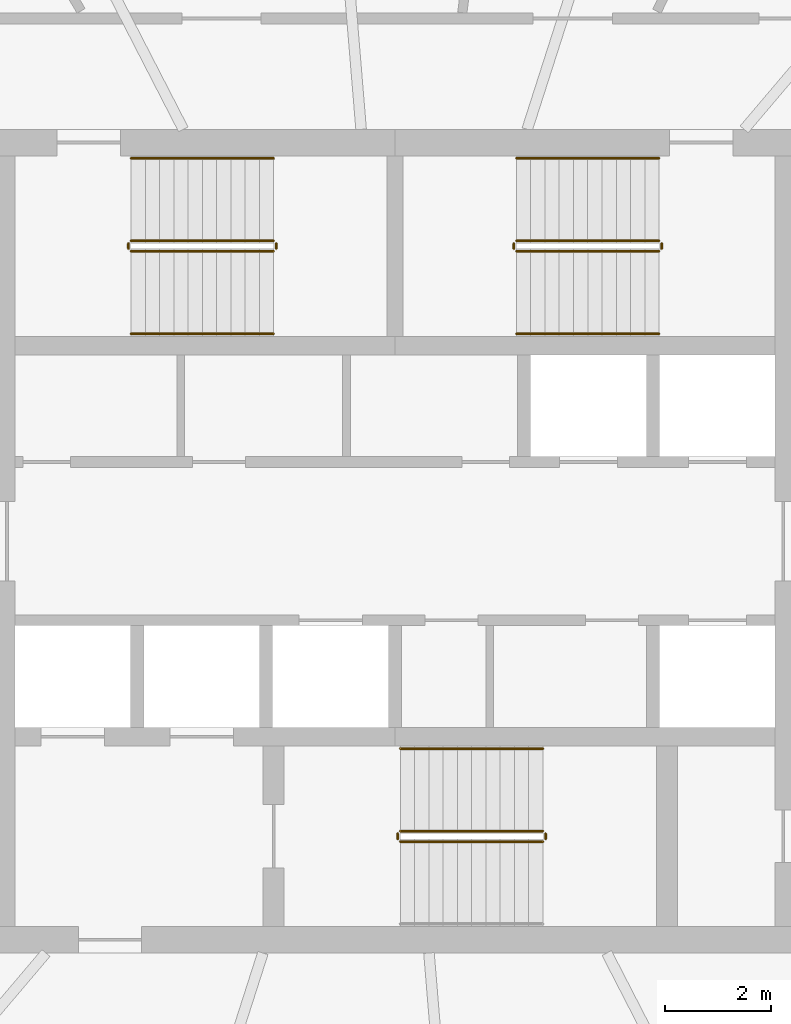
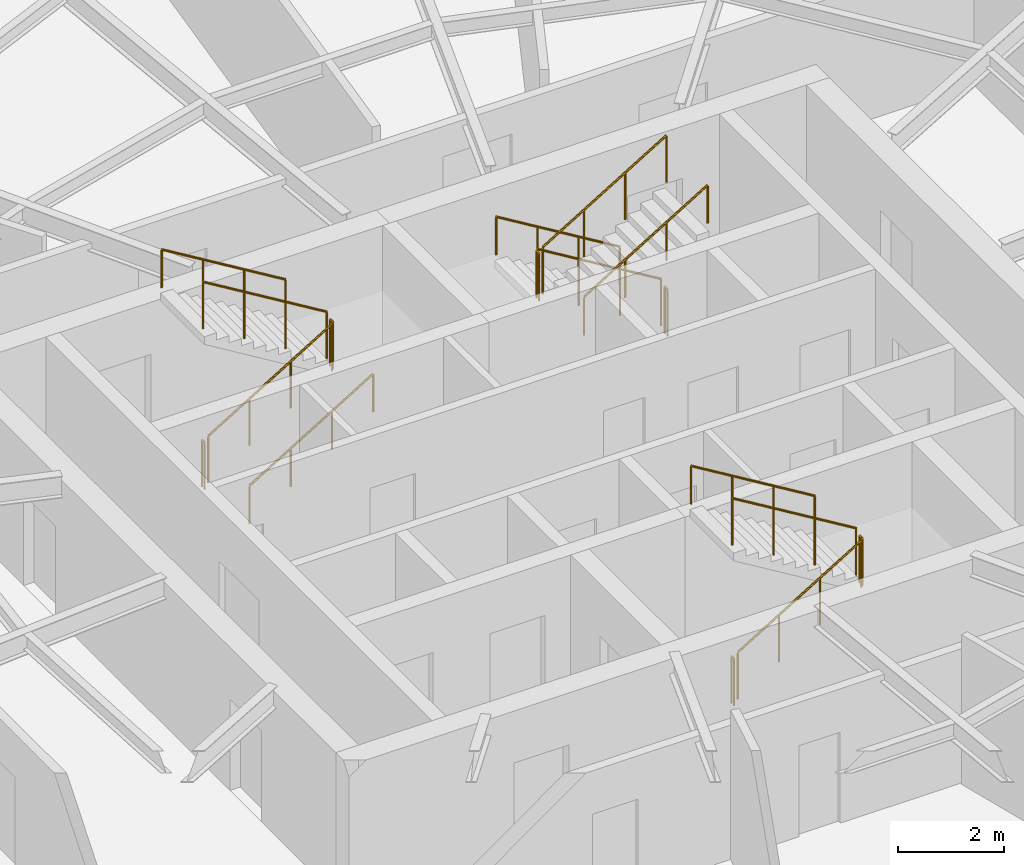
# One storey, part 13 of 14: 17 railings.
"""IFC4 building model written with IfcOpenShell, lengths in metres."""

import ifcopenshell
import ifcopenshell.guid

model = None  # the IFC model being written
_history = None  # IfcOwnerHistory: only IFC2X3 demands one
_inside = {}  # id of a spatial element -> (the spatial element, [elements in it])
_under = {}  # id of a project, library or spatial element -> (it, [spatial elements below it])
_declared = {}  # id of a project -> (the project, [libraries it declares])
_typed = {}  # id of a type object -> (the type object, [elements of that type])
_made_of = {}  # id of a material, layer set ... -> (it, [elements and type objects made of it])


def new_model(schema):
    """Start an empty IFC model of exactly this schema.

    Asked for "IFC4X3", IfcOpenShell would pick the latest addendum, in which some entities
    have other attributes; the version numbers below select the first issue.
    IFC2X3 requires an IfcOwnerHistory on every rooted entity: one is made here for all.
    """
    global model, _history
    if schema == "IFC4X3":
        model = ifcopenshell.file(schema_version=(4, 3, 0, 0))
    else:
        model = ifcopenshell.file(schema=schema)
    _inside.clear()
    _under.clear()
    _declared.clear()
    _typed.clear()
    _made_of.clear()
    _history = None
    if model.schema == "IFC2X3":
        org = make("IfcOrganization", Name="unknown")
        user = make(
            "IfcPersonAndOrganization",
            ThePerson=make("IfcPerson", FamilyName="unknown"),
            TheOrganization=org,
        )
        app = make(
            "IfcApplication",
            ApplicationDeveloper=org,
            Version="unknown",
            ApplicationFullName="unknown",
            ApplicationIdentifier="unknown",
        )
        _history = make(
            "IfcOwnerHistory",
            OwningUser=user,
            OwningApplication=app,
            ChangeAction="ADDED",
            CreationDate=0,
        )
    return model


def make(cls, **values):
    """One entity of the class cls with the attributes given. An attribute that is None is left unset."""
    return model.create_entity(
        cls, **{name: value for name, value in values.items() if value is not None}
    )


def rooted(cls, **values):
    """An entity with a GlobalId (a new one), such as an element, a storey or a relation."""
    return make(cls, GlobalId=ifcopenshell.guid.new(), OwnerHistory=_history, **values)


def si_unit(unit_type, name, prefix=None):
    """IfcSIUnit, for example si_unit("LENGTHUNIT", "METRE", prefix="MILLI")."""
    return make("IfcSIUnit", UnitType=unit_type, Prefix=prefix, Name=name)


def assignment(units):
    """IfcUnitAssignment: the units of a project."""
    return None if units is None else make("IfcUnitAssignment", Units=units)


def point(xyz):
    """IfcCartesianPoint."""
    return None if xyz is None else make("IfcCartesianPoint", Coordinates=xyz)


def direction(xyz):
    """IfcDirection."""
    return None if xyz is None else make("IfcDirection", DirectionRatios=xyz)


def frame(location, z_axis=None, x_axis=None):
    """IfcAxis2Placement3D, a coordinate frame: its origin and axes. An axis left out is left unset."""
    return make(
        "IfcAxis2Placement3D",
        Location=point(location),
        Axis=direction(z_axis),
        RefDirection=direction(x_axis),
    )


def frame_2d(location, x_axis=None):
    """IfcAxis2Placement2D, a coordinate frame in the plane: its origin and x axis."""
    return make(
        "IfcAxis2Placement2D", Location=point(location), RefDirection=direction(x_axis)
    )


def origin():
    """The frame at (0, 0, 0) with its axes left unset."""
    return frame((0.0, 0.0, 0.0))


def origin_2d():
    """The frame at (0, 0) in the plane with its x axis left unset."""
    return frame_2d((0.0, 0.0))


def place(relative_to, where):
    """IfcLocalPlacement: puts the frame where relative to a parent placement (None: the world)."""
    return make(
        "IfcLocalPlacement", PlacementRelTo=relative_to, RelativePlacement=where
    )


def context(
    kind, dimensions, precision=None, world=None, true_north=None, identifier=None
):
    """IfcGeometricRepresentationContext, for example the 3D "Model" context."""
    return make(
        "IfcGeometricRepresentationContext",
        ContextIdentifier=identifier,
        ContextType=kind,
        CoordinateSpaceDimension=dimensions,
        Precision=precision,
        WorldCoordinateSystem=world,
        TrueNorth=true_north,
    )


def subcontext(parent, identifier, kind, view, scale=None):
    """IfcGeometricRepresentationSubContext, for example "Body" below "Model"."""
    return make(
        "IfcGeometricRepresentationSubContext",
        ContextIdentifier=identifier,
        ContextType=kind,
        ParentContext=parent,
        TargetScale=scale,
        TargetView=view,
    )


def project(units=None, contexts=None):
    """IfcProject with its units and contexts."""
    return rooted(
        "IfcProject",
        Name="project",
        RepresentationContexts=contexts,
        UnitsInContext=assignment(units),
    )


def spatial(cls, under=None, at=None, **own):
    """A site, building, storey or space (cls), placed at a placement, below another one or the project."""
    s = rooted(cls, ObjectPlacement=at, **own)
    if under is not None:
        _under.setdefault(under.id(), (under, []))[1].append(s)
    return s


def profile(cls, at=None, kind="AREA", **sizes):
    """A parametric profile (cls). Its sizes go by their IFC names, for example OverallWidth=200.0."""
    return make(cls, ProfileType=kind, Position=at, **sizes)


def circle(**sizes):
    """IfcCircleProfileDef."""
    return profile("IfcCircleProfileDef", **sizes)


def extrude(swept, where, along, depth):
    """IfcExtrudedAreaSolid: the profile swept, set in the frame where, extruded along a direction by depth."""
    return make(
        "IfcExtrudedAreaSolid",
        SweptArea=swept,
        Position=where,
        ExtrudedDirection=direction(along),
        Depth=depth,
    )


def shape(context_of_items, identifier, shape_type, items):
    """IfcShapeRepresentation: the items that make up one representation, for example the "Body"."""
    return make(
        "IfcShapeRepresentation",
        ContextOfItems=context_of_items,
        RepresentationIdentifier=identifier,
        RepresentationType=shape_type,
        Items=items,
    )


def material(Name=None, Category=None):
    """IfcMaterial."""
    return make("IfcMaterial", Name=Name, Category=Category)


def made_of(thing, what):
    """Note that an element or type object is made of a material, layer set ...; save() writes the relation."""
    if what is not None:
        _made_of.setdefault(what.id(), (what, []))[1].append(thing)
    return thing


def type_object(cls, material=None, **own):
    """A type object (cls), such as IfcWallType, which elements share."""
    return made_of(rooted(cls, **own), material)


def element(
    cls,
    number,
    at=None,
    inside=None,
    cuts=None,
    type_object=None,
    material=None,
    context=None,
    identifier="Body",
    shape_type=None,
    held_by="IfcProductDefinitionShape",
    body=None,
    shapes=None,
    **own,
):
    """One element of the class cls, such as IfcWall. Its Tag is "e" and its number.

    at: its placement. inside: the storey or other place that contains it. cuts: it is an
    opening in that element (IfcRelVoidsElement). A single representation is given by context,
    identifier, shape_type and body (its items); several are given by shapes. held_by: the class
    of the entity that holds the representations. save() writes the other relations.
    """
    e = rooted(cls, Tag="e%d" % number, ObjectPlacement=at, **own)
    if body is not None:
        shapes = [shape(context, identifier, shape_type, body)]
    if shapes is not None:
        e.Representation = make(held_by, Representations=shapes)
    if inside is not None:
        _inside.setdefault(inside.id(), (inside, []))[1].append(e)
    if cuts is not None:
        rooted(
            "IfcRelVoidsElement", RelatingBuildingElement=cuts, RelatedOpeningElement=e
        )
    if type_object is not None:
        _typed.setdefault(type_object.id(), (type_object, []))[1].append(e)
    return made_of(e, material)


def aggregate(whole, parts):
    """IfcRelAggregates: a whole, such as a stair, and the parts it consists of."""
    return rooted("IfcRelAggregates", RelatingObject=whole, RelatedObjects=parts)


def save(model, path):
    """Write the relations noted so far, then the file.

    IfcRelAggregates (storeys below a building ...), IfcRelContainedInSpatialStructure (elements
    in a storey), IfcRelDefinesByType, IfcRelAssociatesMaterial and IfcRelDeclares: one each for
    every whole, place, type object, material and project.
    """
    for whole, parts in _under.values():
        aggregate(whole, parts)
    for where, things in _inside.values():
        rooted(
            "IfcRelContainedInSpatialStructure",
            RelatedElements=things,
            RelatingStructure=where,
        )
    for kind, things in _typed.values():
        rooted("IfcRelDefinesByType", RelatedObjects=things, RelatingType=kind)
    for what, things in _made_of.values():
        rooted("IfcRelAssociatesMaterial", RelatedObjects=things, RelatingMaterial=what)
    for by, libraries in _declared.values():
        rooted("IfcRelDeclares", RelatingContext=by, RelatedDefinitions=libraries)
    model.write(path)


model = new_model("IFC4")

# Units and contexts
model_context = context("Model", 3, precision=1e-05, world=origin(), true_north=direction((0.0, 1.0)))
body_context = subcontext(model_context, "Body", "Model", "MODEL_VIEW")
ifc_project = project(units=[si_unit("LENGTHUNIT", "METRE"), si_unit("AREAUNIT", "SQUARE_METRE"), si_unit("VOLUMEUNIT", "CUBIC_METRE"), si_unit("PLANEANGLEUNIT", "RADIAN"), si_unit("MASSUNIT", "GRAM", prefix="KILO")], contexts=[model_context])

# Site, building, storey
site_placement = place(None, origin())
site = spatial("IfcSite", under=ifc_project, at=site_placement, CompositionType="ELEMENT")
building_placement = place(site_placement, origin())
building = spatial("IfcBuilding", under=site, at=building_placement, Name="Vermilion Reach Broadcast Tower", CompositionType="ELEMENT")
storey_placement = place(building_placement, frame((0.0, 0.0, 264.89990234375)))
storey = spatial("IfcBuildingStorey", under=building, at=storey_placement, Name="L65", CompositionType="ELEMENT", Elevation=264.89990234375)

# Railings
ifc_material_1 = material(Name="Stainless steel", Category="steel")
railing_type_1 = type_object("IfcRailingType", Name="Stair guard 1100", PredefinedType="GUARDRAIL", material=ifc_material_1)
railing_1_placement = place(storey_placement, frame((-11.0, 5.489990234375, 0.163818359375)))
element("IfcRailing", 1, at=railing_1_placement, inside=storey, type_object=railing_type_1, Name="L65 ST1 stair guard 1", PredefinedType="GUARDRAIL", context=body_context, shape_type="SweptSolid", body=[
    extrude(circle(Radius=0.02392578125, at=origin_2d()), frame((0.0, 0.0, 1.076171875), z_axis=(0.855212373127, 0.0, 0.518277721738), x_axis=(0.0, 1.0, 0.0)), (0.0, 0.0, 1.0), 3.156982421875),
    extrude(circle(Radius=0.02099609375, at=origin_2d()), origin(), (0.0, 0.0, 1.0), 1.052001953125),
    extrude(circle(Radius=0.02099609375, at=origin_2d()), frame((0.89990234375, 0.0, 0.54541015625)), (0.0, 0.0, 1.0), 1.052001953125),
    extrude(circle(Radius=0.02099609375, at=origin_2d()), frame((1.800048828125, 0.0, 1.0908203125)), (0.0, 0.0, 1.0), 1.052001953125),
    extrude(circle(Radius=0.02099609375, at=origin_2d()), frame((2.699951171875, 0.0, 1.63623046875)), (0.0, 0.0, 1.0), 1.052001953125),
])
railing_2_placement = place(storey_placement, frame((-8.25, 5.5400390625, 1.800048828125)))
element("IfcRailing", 2, at=railing_2_placement, inside=storey, type_object=railing_type_1, Name="L65 ST1 stair guard 2", PredefinedType="GUARDRAIL", context=body_context, shape_type="SweptSolid", body=[
    extrude(circle(Radius=0.02392578125, at=origin_2d()), frame((0.0, 0.0, 1.076171875), z_axis=(0.0, 1.0, 0.0), x_axis=(-1.0, 0.0, 0.0)), (0.0, 0.0, 1.0), 0.099853515625),
    extrude(circle(Radius=0.02099609375, at=origin_2d()), origin(), (0.0, 0.0, 1.0), 1.052001953125),
    extrude(circle(Radius=0.02099609375, at=origin_2d()), frame((0.0, 0.099853515625, 0.0)), (0.0, 0.0, 1.0), 1.052001953125),
])
railing_3_placement = place(storey_placement, frame((-8.300048828125, 5.68994140625, 1.963623046875)))
element("IfcRailing", 3, at=railing_3_placement, inside=storey, type_object=railing_type_1, Name="L65 ST1 stair guard 3", PredefinedType="GUARDRAIL", context=body_context, shape_type="SweptSolid", body=[
    extrude(circle(Radius=0.02392578125, at=origin_2d()), frame((0.0, 0.0, 1.076171875), z_axis=(-0.855178096276, 0.0, 0.518334277904), x_axis=(0.0, -1.0, 0.0)), (0.0, 0.0, 1.0), 3.1572265625),
    extrude(circle(Radius=0.02099609375, at=origin_2d()), origin(), (0.0, 0.0, 1.0), 1.052001953125),
    extrude(circle(Radius=0.02099609375, at=origin_2d()), frame((-0.89990234375, 0.0, 0.54541015625)), (0.0, 0.0, 1.0), 1.052001953125),
    extrude(circle(Radius=0.02099609375, at=origin_2d()), frame((-1.800048828125, 0.0, 1.091064453125)), (0.0, 0.0, 1.0), 1.052001953125),
    extrude(circle(Radius=0.02099609375, at=origin_2d()), frame((-2.699951171875, 0.0, 1.636474609375)), (0.0, 0.0, 1.0), 1.052001953125),
])
railing_4_placement = place(storey_placement, frame((-11.050048828125, 5.5400390625, 0.0)))
element("IfcRailing", 4, at=railing_4_placement, inside=storey, type_object=railing_type_1, Name="L65 ST1 stair guard 4", PredefinedType="GUARDRAIL", context=body_context, shape_type="SweptSolid", body=[
    extrude(circle(Radius=0.02392578125, at=origin_2d()), frame((0.0, 0.0, 1.076171875), z_axis=(0.0, 1.0, 0.0), x_axis=(-1.0, 0.0, 0.0)), (0.0, 0.0, 1.0), 0.099853515625),
    extrude(circle(Radius=0.02099609375, at=origin_2d()), origin(), (0.0, 0.0, 1.0), 1.052001953125),
    extrude(circle(Radius=0.02099609375, at=origin_2d()), frame((0.0, 0.099853515625, 0.0)), (0.0, 0.0, 1.0), 1.052001953125),
])
railing_5_placement = place(storey_placement, frame((-1.0, 5.68994140625, 0.163818359375)))
element("IfcRailing", 5, at=railing_5_placement, inside=storey, type_object=railing_type_1, Name="L65 ST2 stair guard 1", PredefinedType="GUARDRAIL", context=body_context, shape_type="SweptSolid", body=[
    extrude(circle(Radius=0.02392578125, at=origin_2d()), frame((0.0, 0.0, 1.076171875), z_axis=(-0.855212373127, 0.0, 0.518277721738), x_axis=(0.0, -1.0, 0.0)), (0.0, 0.0, 1.0), 3.156982421875),
    extrude(circle(Radius=0.02099609375, at=origin_2d()), origin(), (0.0, 0.0, 1.0), 1.052001953125),
    extrude(circle(Radius=0.02099609375, at=origin_2d()), frame((-0.89990234375, 0.0, 0.54541015625)), (0.0, 0.0, 1.0), 1.052001953125),
    extrude(circle(Radius=0.02099609375, at=origin_2d()), frame((-1.800048828125, 0.0, 1.0908203125)), (0.0, 0.0, 1.0), 1.052001953125),
    extrude(circle(Radius=0.02099609375, at=origin_2d()), frame((-2.699951171875, 0.0, 1.63623046875)), (0.0, 0.0, 1.0), 1.052001953125),
])
railing_6_placement = place(storey_placement, frame((-3.75, 5.639892578125, 1.800048828125)))
element("IfcRailing", 6, at=railing_6_placement, inside=storey, type_object=railing_type_1, Name="L65 ST2 stair guard 2", PredefinedType="GUARDRAIL", context=body_context, shape_type="SweptSolid", body=[
    extrude(circle(Radius=0.02392578125, at=origin_2d()), frame((0.0, 0.0, 1.076171875), z_axis=(0.0, -1.0, 0.0), x_axis=(1.0, 0.0, 0.0)), (0.0, 0.0, 1.0), 0.099853515625),
    extrude(circle(Radius=0.02099609375, at=origin_2d()), origin(), (0.0, 0.0, 1.0), 1.052001953125),
    extrude(circle(Radius=0.02099609375, at=origin_2d()), frame((0.0, -0.099853515625, 0.0)), (0.0, 0.0, 1.0), 1.052001953125),
])
railing_7_placement = place(storey_placement, frame((-3.699951171875, 5.489990234375, 1.963623046875)))
element("IfcRailing", 7, at=railing_7_placement, inside=storey, type_object=railing_type_1, Name="L65 ST2 stair guard 3", PredefinedType="GUARDRAIL", context=body_context, shape_type="SweptSolid", body=[
    extrude(circle(Radius=0.02392578125, at=origin_2d()), frame((0.0, 0.0, 1.076171875), z_axis=(0.855178096276, 0.0, 0.518334277904), x_axis=(0.0, 1.0, 0.0)), (0.0, 0.0, 1.0), 3.1572265625),
    extrude(circle(Radius=0.02099609375, at=origin_2d()), origin(), (0.0, 0.0, 1.0), 1.052001953125),
    extrude(circle(Radius=0.02099609375, at=origin_2d()), frame((0.89990234375, 0.0, 0.54541015625)), (0.0, 0.0, 1.0), 1.052001953125),
    extrude(circle(Radius=0.02099609375, at=origin_2d()), frame((1.800048828125, 0.0, 1.091064453125)), (0.0, 0.0, 1.0), 1.052001953125),
    extrude(circle(Radius=0.02099609375, at=origin_2d()), frame((2.699951171875, 0.0, 1.636474609375)), (0.0, 0.0, 1.0), 1.052001953125),
])
railing_8_placement = place(storey_placement, frame((-0.949951171875, 5.639892578125, 0.0)))
element("IfcRailing", 8, at=railing_8_placement, inside=storey, type_object=railing_type_1, Name="L65 ST2 stair guard 4", PredefinedType="GUARDRAIL", context=body_context, shape_type="SweptSolid", body=[
    extrude(circle(Radius=0.02392578125, at=origin_2d()), frame((0.0, 0.0, 1.076171875), z_axis=(0.0, -1.0, 0.0), x_axis=(1.0, 0.0, 0.0)), (0.0, 0.0, 1.0), 0.099853515625),
    extrude(circle(Radius=0.02099609375, at=origin_2d()), origin(), (0.0, 0.0, 1.0), 1.052001953125),
    extrude(circle(Radius=0.02099609375, at=origin_2d()), frame((0.0, -0.099853515625, 0.0)), (0.0, 0.0, 1.0), 1.052001953125),
])
railing_9_placement = place(storey_placement, frame((-5.89990234375, -5.68994140625, 0.163818359375)))
element("IfcRailing", 9, at=railing_9_placement, inside=storey, type_object=railing_type_1, Name="L65 ST3 stair guard 1", PredefinedType="GUARDRAIL", context=body_context, shape_type="SweptSolid", body=[
    extrude(circle(Radius=0.02392578125, at=origin_2d()), frame((0.0, 0.0, 1.076171875), z_axis=(0.855212373127, 0.0, 0.518277721738), x_axis=(0.0, 1.0, 0.0)), (0.0, 0.0, 1.0), 3.156982421875),
    extrude(circle(Radius=0.02099609375, at=origin_2d()), origin(), (0.0, 0.0, 1.0), 1.052001953125),
    extrude(circle(Radius=0.02099609375, at=origin_2d()), frame((0.89990234375, 0.0, 0.54541015625)), (0.0, 0.0, 1.0), 1.052001953125),
    extrude(circle(Radius=0.02099609375, at=origin_2d()), frame((1.800048828125, 0.0, 1.0908203125)), (0.0, 0.0, 1.0), 1.052001953125),
    extrude(circle(Radius=0.02099609375, at=origin_2d()), frame((2.699951171875, 0.0, 1.63623046875)), (0.0, 0.0, 1.0), 1.052001953125),
])
railing_10_placement = place(storey_placement, frame((-3.14990234375, -5.639892578125, 1.800048828125)))
element("IfcRailing", 10, at=railing_10_placement, inside=storey, type_object=railing_type_1, Name="L65 ST3 stair guard 2", PredefinedType="GUARDRAIL", context=body_context, shape_type="SweptSolid", body=[
    extrude(circle(Radius=0.02392578125, at=origin_2d()), frame((0.0, 0.0, 1.076171875), z_axis=(0.0, 1.0, 0.0), x_axis=(-1.0, 0.0, 0.0)), (0.0, 0.0, 1.0), 0.099853515625),
    extrude(circle(Radius=0.02099609375, at=origin_2d()), origin(), (0.0, 0.0, 1.0), 1.052001953125),
    extrude(circle(Radius=0.02099609375, at=origin_2d()), frame((0.0, 0.099853515625, 0.0)), (0.0, 0.0, 1.0), 1.052001953125),
])
railing_11_placement = place(storey_placement, frame((-3.199951171875, -5.489990234375, 1.963623046875)))
element("IfcRailing", 11, at=railing_11_placement, inside=storey, type_object=railing_type_1, Name="L65 ST3 stair guard 3", PredefinedType="GUARDRAIL", context=body_context, shape_type="SweptSolid", body=[
    extrude(circle(Radius=0.02392578125, at=origin_2d()), frame((0.0, 0.0, 1.076171875), z_axis=(-0.855178096276, 0.0, 0.518334277904), x_axis=(0.0, -1.0, 0.0)), (0.0, 0.0, 1.0), 3.1572265625),
    extrude(circle(Radius=0.02099609375, at=origin_2d()), origin(), (0.0, 0.0, 1.0), 1.052001953125),
    extrude(circle(Radius=0.02099609375, at=origin_2d()), frame((-0.89990234375, 0.0, 0.54541015625)), (0.0, 0.0, 1.0), 1.052001953125),
    extrude(circle(Radius=0.02099609375, at=origin_2d()), frame((-1.800048828125, 0.0, 1.091064453125)), (0.0, 0.0, 1.0), 1.052001953125),
    extrude(circle(Radius=0.02099609375, at=origin_2d()), frame((-2.699951171875, 0.0, 1.636474609375)), (0.0, 0.0, 1.0), 1.052001953125),
])
railing_12_placement = place(storey_placement, frame((-5.949951171875, -5.639892578125, 0.0)))
element("IfcRailing", 12, at=railing_12_placement, inside=storey, type_object=railing_type_1, Name="L65 ST3 stair guard 4", PredefinedType="GUARDRAIL", context=body_context, shape_type="SweptSolid", body=[
    extrude(circle(Radius=0.02392578125, at=origin_2d()), frame((0.0, 0.0, 1.076171875), z_axis=(0.0, 1.0, 0.0), x_axis=(-1.0, 0.0, 0.0)), (0.0, 0.0, 1.0), 0.099853515625),
    extrude(circle(Radius=0.02099609375, at=origin_2d()), origin(), (0.0, 0.0, 1.0), 1.052001953125),
    extrude(circle(Radius=0.02099609375, at=origin_2d()), frame((0.0, 0.099853515625, 0.0)), (0.0, 0.0, 1.0), 1.052001953125),
])
ifc_material_2 = material(Name="Stainless steel", Category="steel")
railing_type_2 = type_object("IfcRailingType", Name="Stair handrail", PredefinedType="HANDRAIL", material=ifc_material_2)
railing_13_placement = place(storey_placement, frame((-11.0, 3.929931640625, 0.163818359375)))
element("IfcRailing", 13, at=railing_13_placement, inside=storey, type_object=railing_type_2, Name="L65 ST1 stair handrail 1", PredefinedType="HANDRAIL", context=body_context, shape_type="SweptSolid", body=[
    extrude(circle(Radius=0.02392578125, at=origin_2d()), frame((0.0, 0.0, 0.8759765625), z_axis=(0.855212373127, 0.0, 0.518277721738), x_axis=(0.0, 1.0, 0.0)), (0.0, 0.0, 1.0), 3.156982421875),
    extrude(circle(Radius=0.02099609375, at=origin_2d()), origin(), (0.0, 0.0, 1.0), 0.851806640625),
    extrude(circle(Radius=0.02099609375, at=origin_2d()), frame((0.89990234375, 0.0, 0.54541015625)), (0.0, 0.0, 1.0), 0.851806640625),
    extrude(circle(Radius=0.02099609375, at=origin_2d()), frame((1.800048828125, 0.0, 1.0908203125)), (0.0, 0.0, 1.0), 0.851806640625),
    extrude(circle(Radius=0.02099609375, at=origin_2d()), frame((2.699951171875, 0.0, 1.63623046875)), (0.0, 0.0, 1.0), 0.851806640625),
])
railing_14_placement = place(storey_placement, frame((-8.300048828125, 7.25, 1.963623046875)))
element("IfcRailing", 14, at=railing_14_placement, inside=storey, type_object=railing_type_2, Name="L65 ST1 stair handrail 2", PredefinedType="HANDRAIL", context=body_context, shape_type="SweptSolid", body=[
    extrude(circle(Radius=0.02392578125, at=origin_2d()), frame((0.0, 0.0, 0.8759765625), z_axis=(-0.855178096276, 0.0, 0.518334277904), x_axis=(0.0, -1.0, 0.0)), (0.0, 0.0, 1.0), 3.1572265625),
    extrude(circle(Radius=0.02099609375, at=origin_2d()), origin(), (0.0, 0.0, 1.0), 0.851806640625),
    extrude(circle(Radius=0.02099609375, at=origin_2d()), frame((-0.89990234375, 0.0, 0.54541015625)), (0.0, 0.0, 1.0), 0.851806640625),
    extrude(circle(Radius=0.02099609375, at=origin_2d()), frame((-1.800048828125, 0.0, 1.091064453125)), (0.0, 0.0, 1.0), 0.851806640625),
    extrude(circle(Radius=0.02099609375, at=origin_2d()), frame((-2.699951171875, 0.0, 1.636474609375)), (0.0, 0.0, 1.0), 0.851806640625),
])
railing_15_placement = place(storey_placement, frame((-1.0, 7.25, 0.163818359375)))
element("IfcRailing", 15, at=railing_15_placement, inside=storey, type_object=railing_type_2, Name="L65 ST2 stair handrail 1", PredefinedType="HANDRAIL", context=body_context, shape_type="SweptSolid", body=[
    extrude(circle(Radius=0.02392578125, at=origin_2d()), frame((0.0, 0.0, 0.8759765625), z_axis=(-0.855212373127, 0.0, 0.518277721738), x_axis=(0.0, -1.0, 0.0)), (0.0, 0.0, 1.0), 3.156982421875),
    extrude(circle(Radius=0.02099609375, at=origin_2d()), origin(), (0.0, 0.0, 1.0), 0.851806640625),
    extrude(circle(Radius=0.02099609375, at=origin_2d()), frame((-0.89990234375, 0.0, 0.54541015625)), (0.0, 0.0, 1.0), 0.851806640625),
    extrude(circle(Radius=0.02099609375, at=origin_2d()), frame((-1.800048828125, 0.0, 1.0908203125)), (0.0, 0.0, 1.0), 0.851806640625),
    extrude(circle(Radius=0.02099609375, at=origin_2d()), frame((-2.699951171875, 0.0, 1.63623046875)), (0.0, 0.0, 1.0), 0.851806640625),
])
railing_16_placement = place(storey_placement, frame((-3.699951171875, 3.929931640625, 1.963623046875)))
element("IfcRailing", 16, at=railing_16_placement, inside=storey, type_object=railing_type_2, Name="L65 ST2 stair handrail 2", PredefinedType="HANDRAIL", context=body_context, shape_type="SweptSolid", body=[
    extrude(circle(Radius=0.02392578125, at=origin_2d()), frame((0.0, 0.0, 0.8759765625), z_axis=(0.855178096276, 0.0, 0.518334277904), x_axis=(0.0, 1.0, 0.0)), (0.0, 0.0, 1.0), 3.1572265625),
    extrude(circle(Radius=0.02099609375, at=origin_2d()), origin(), (0.0, 0.0, 1.0), 0.851806640625),
    extrude(circle(Radius=0.02099609375, at=origin_2d()), frame((0.89990234375, 0.0, 0.54541015625)), (0.0, 0.0, 1.0), 0.851806640625),
    extrude(circle(Radius=0.02099609375, at=origin_2d()), frame((1.800048828125, 0.0, 1.091064453125)), (0.0, 0.0, 1.0), 0.851806640625),
    extrude(circle(Radius=0.02099609375, at=origin_2d()), frame((2.699951171875, 0.0, 1.636474609375)), (0.0, 0.0, 1.0), 0.851806640625),
])
railing_17_placement = place(storey_placement, frame((-3.199951171875, -3.929931640625, 1.963623046875)))
element("IfcRailing", 17, at=railing_17_placement, inside=storey, type_object=railing_type_2, Name="L65 ST3 stair handrail 2", PredefinedType="HANDRAIL", context=body_context, shape_type="SweptSolid", body=[
    extrude(circle(Radius=0.02392578125, at=origin_2d()), frame((0.0, 0.0, 0.8759765625), z_axis=(-0.855178096276, 0.0, 0.518334277904), x_axis=(0.0, -1.0, 0.0)), (0.0, 0.0, 1.0), 3.1572265625),
    extrude(circle(Radius=0.02099609375, at=origin_2d()), origin(), (0.0, 0.0, 1.0), 0.851806640625),
    extrude(circle(Radius=0.02099609375, at=origin_2d()), frame((-0.89990234375, 0.0, 0.54541015625)), (0.0, 0.0, 1.0), 0.851806640625),
    extrude(circle(Radius=0.02099609375, at=origin_2d()), frame((-1.800048828125, 0.0, 1.091064453125)), (0.0, 0.0, 1.0), 0.851806640625),
    extrude(circle(Radius=0.02099609375, at=origin_2d()), frame((-2.699951171875, 0.0, 1.636474609375)), (0.0, 0.0, 1.0), 0.851806640625),
])

save(model, "model.ifc")
